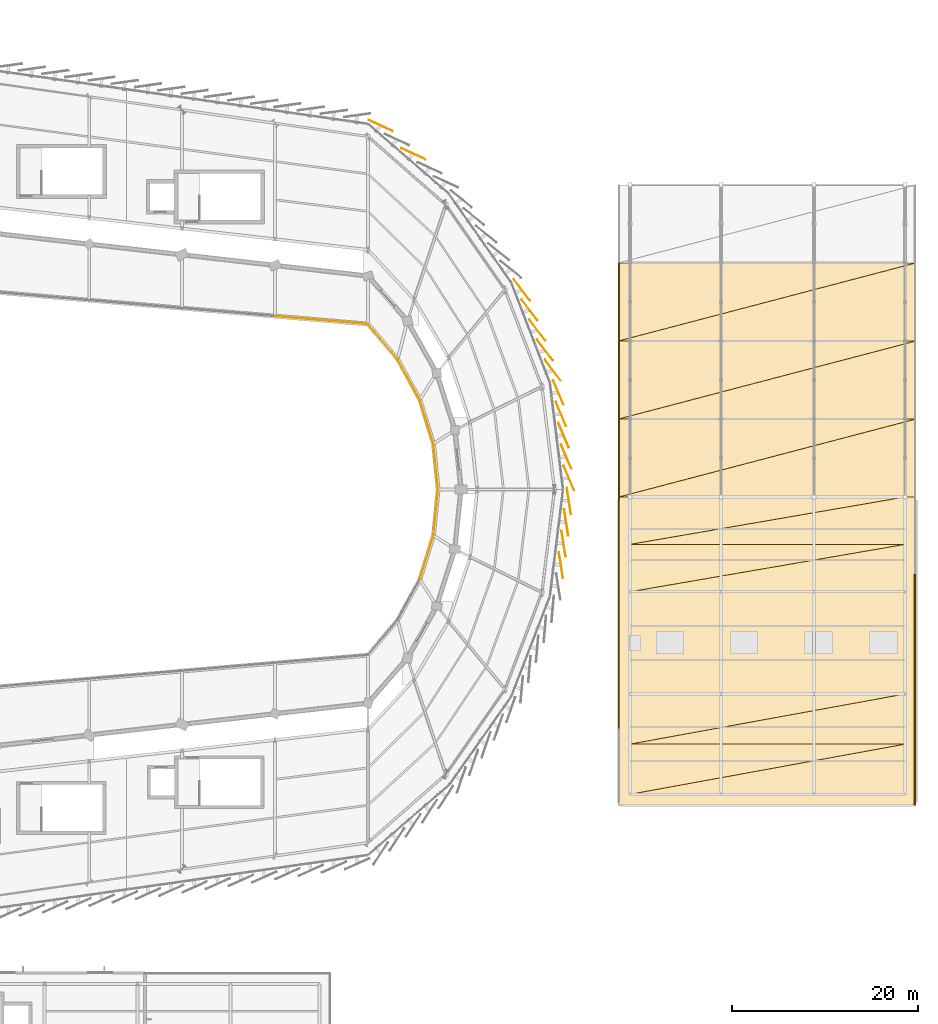
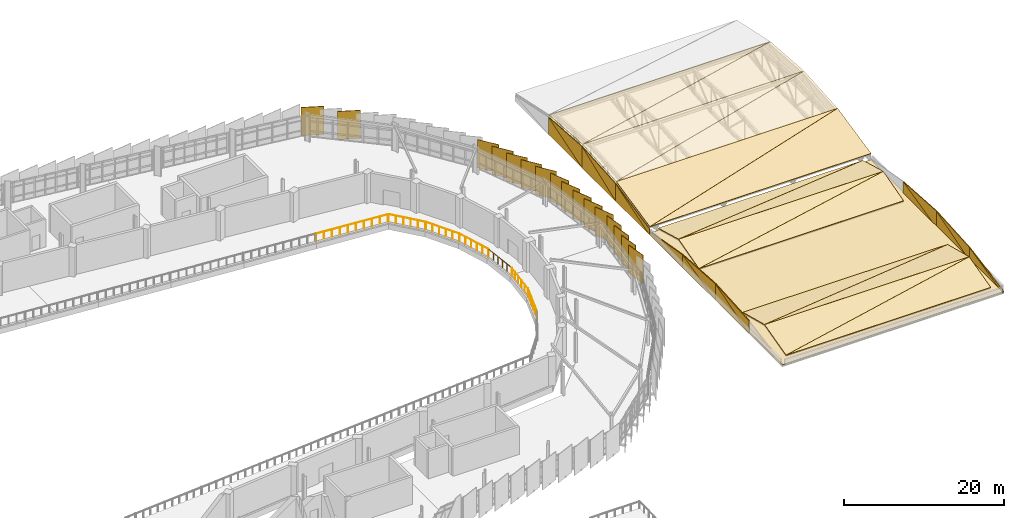
# One storey, part 86 of 87: 49 coverings, 7 railings.
"""IFC4 building model written with IfcOpenShell, lengths in metres."""

import ifcopenshell
import ifcopenshell.guid

model = None  # the IFC model being written
_history = None  # IfcOwnerHistory: only IFC2X3 demands one
_inside = {}  # id of a spatial element -> (the spatial element, [elements in it])
_under = {}  # id of a project, library or spatial element -> (it, [spatial elements below it])
_declared = {}  # id of a project -> (the project, [libraries it declares])
_typed = {}  # id of a type object -> (the type object, [elements of that type])
_made_of = {}  # id of a material, layer set ... -> (it, [elements and type objects made of it])


def new_model(schema):
    """Start an empty IFC model of exactly this schema.

    Asked for "IFC4X3", IfcOpenShell would pick the latest addendum, in which some entities
    have other attributes; the version numbers below select the first issue.
    IFC2X3 requires an IfcOwnerHistory on every rooted entity: one is made here for all.
    """
    global model, _history
    if schema == "IFC4X3":
        model = ifcopenshell.file(schema_version=(4, 3, 0, 0))
    else:
        model = ifcopenshell.file(schema=schema)
    _inside.clear()
    _under.clear()
    _declared.clear()
    _typed.clear()
    _made_of.clear()
    _history = None
    if model.schema == "IFC2X3":
        org = make("IfcOrganization", Name="unknown")
        user = make(
            "IfcPersonAndOrganization",
            ThePerson=make("IfcPerson", FamilyName="unknown"),
            TheOrganization=org,
        )
        app = make(
            "IfcApplication",
            ApplicationDeveloper=org,
            Version="unknown",
            ApplicationFullName="unknown",
            ApplicationIdentifier="unknown",
        )
        _history = make(
            "IfcOwnerHistory",
            OwningUser=user,
            OwningApplication=app,
            ChangeAction="ADDED",
            CreationDate=0,
        )
    return model


def make(cls, **values):
    """One entity of the class cls with the attributes given. An attribute that is None is left unset."""
    return model.create_entity(
        cls, **{name: value for name, value in values.items() if value is not None}
    )


def rooted(cls, **values):
    """An entity with a GlobalId (a new one), such as an element, a storey or a relation."""
    return make(cls, GlobalId=ifcopenshell.guid.new(), OwnerHistory=_history, **values)


def si_unit(unit_type, name, prefix=None):
    """IfcSIUnit, for example si_unit("LENGTHUNIT", "METRE", prefix="MILLI")."""
    return make("IfcSIUnit", UnitType=unit_type, Prefix=prefix, Name=name)


def assignment(units):
    """IfcUnitAssignment: the units of a project."""
    return None if units is None else make("IfcUnitAssignment", Units=units)


def point(xyz):
    """IfcCartesianPoint."""
    return None if xyz is None else make("IfcCartesianPoint", Coordinates=xyz)


def direction(xyz):
    """IfcDirection."""
    return None if xyz is None else make("IfcDirection", DirectionRatios=xyz)


def frame(location, z_axis=None, x_axis=None):
    """IfcAxis2Placement3D, a coordinate frame: its origin and axes. An axis left out is left unset."""
    return make(
        "IfcAxis2Placement3D",
        Location=point(location),
        Axis=direction(z_axis),
        RefDirection=direction(x_axis),
    )


def frame_2d(location, x_axis=None):
    """IfcAxis2Placement2D, a coordinate frame in the plane: its origin and x axis."""
    return make(
        "IfcAxis2Placement2D", Location=point(location), RefDirection=direction(x_axis)
    )


def origin():
    """The frame at (0, 0, 0) with its axes left unset."""
    return frame((0.0, 0.0, 0.0))


def origin_2d():
    """The frame at (0, 0) in the plane with its x axis left unset."""
    return frame_2d((0.0, 0.0))


def place(relative_to, where):
    """IfcLocalPlacement: puts the frame where relative to a parent placement (None: the world)."""
    return make(
        "IfcLocalPlacement", PlacementRelTo=relative_to, RelativePlacement=where
    )


def context(
    kind, dimensions, precision=None, world=None, true_north=None, identifier=None
):
    """IfcGeometricRepresentationContext, for example the 3D "Model" context."""
    return make(
        "IfcGeometricRepresentationContext",
        ContextIdentifier=identifier,
        ContextType=kind,
        CoordinateSpaceDimension=dimensions,
        Precision=precision,
        WorldCoordinateSystem=world,
        TrueNorth=true_north,
    )


def subcontext(parent, identifier, kind, view, scale=None):
    """IfcGeometricRepresentationSubContext, for example "Body" below "Model"."""
    return make(
        "IfcGeometricRepresentationSubContext",
        ContextIdentifier=identifier,
        ContextType=kind,
        ParentContext=parent,
        TargetScale=scale,
        TargetView=view,
    )


def project(units=None, contexts=None):
    """IfcProject with its units and contexts."""
    return rooted(
        "IfcProject",
        Name="project",
        RepresentationContexts=contexts,
        UnitsInContext=assignment(units),
    )


def spatial(cls, under=None, at=None, **own):
    """A site, building, storey or space (cls), placed at a placement, below another one or the project."""
    s = rooted(cls, ObjectPlacement=at, **own)
    if under is not None:
        _under.setdefault(under.id(), (under, []))[1].append(s)
    return s


def polyline(points):
    """IfcPolyline through the points."""
    return make("IfcPolyline", Points=[point(p) for p in points])


def profile(cls, at=None, kind="AREA", **sizes):
    """A parametric profile (cls). Its sizes go by their IFC names, for example OverallWidth=200.0."""
    return make(cls, ProfileType=kind, Position=at, **sizes)


def rectangle(**sizes):
    """IfcRectangleProfileDef."""
    return profile("IfcRectangleProfileDef", **sizes)


def circle(**sizes):
    """IfcCircleProfileDef."""
    return profile("IfcCircleProfileDef", **sizes)


def outline(outer, holes=None, kind="AREA"):
    """IfcArbitraryClosedProfileDef: a profile drawn as a closed curve; with holes, ...WithVoids."""
    if holes is None:
        return make("IfcArbitraryClosedProfileDef", ProfileType=kind, OuterCurve=outer)
    return make(
        "IfcArbitraryProfileDefWithVoids",
        ProfileType=kind,
        OuterCurve=outer,
        InnerCurves=holes,
    )


def extrude(swept, where, along, depth):
    """IfcExtrudedAreaSolid: the profile swept, set in the frame where, extruded along a direction by depth."""
    return make(
        "IfcExtrudedAreaSolid",
        SweptArea=swept,
        Position=where,
        ExtrudedDirection=direction(along),
        Depth=depth,
    )


def shape(context_of_items, identifier, shape_type, items):
    """IfcShapeRepresentation: the items that make up one representation, for example the "Body"."""
    return make(
        "IfcShapeRepresentation",
        ContextOfItems=context_of_items,
        RepresentationIdentifier=identifier,
        RepresentationType=shape_type,
        Items=items,
    )


def material(Name=None, Category=None):
    """IfcMaterial."""
    return make("IfcMaterial", Name=Name, Category=Category)


def layer(
    of_material, thickness, ventilated=None, Name=None, Category=None, Priority=None
):
    """IfcMaterialLayer: one layer of a wall or slab, of a material (None: an air gap)."""
    return make(
        "IfcMaterialLayer",
        Material=of_material,
        LayerThickness=thickness,
        IsVentilated=ventilated,
        Name=Name,
        Category=Category,
        Priority=Priority,
    )


def layer_set(layers, Name=None):
    """IfcMaterialLayerSet."""
    return make("IfcMaterialLayerSet", MaterialLayers=layers, LayerSetName=Name)


def made_of(thing, what):
    """Note that an element or type object is made of a material, layer set ...; save() writes the relation."""
    if what is not None:
        _made_of.setdefault(what.id(), (what, []))[1].append(thing)
    return thing


def type_object(cls, material=None, **own):
    """A type object (cls), such as IfcWallType, which elements share."""
    return made_of(rooted(cls, **own), material)


def element(
    cls,
    number,
    at=None,
    inside=None,
    cuts=None,
    type_object=None,
    material=None,
    context=None,
    identifier="Body",
    shape_type=None,
    held_by="IfcProductDefinitionShape",
    body=None,
    shapes=None,
    **own,
):
    """One element of the class cls, such as IfcWall. Its Tag is "e" and its number.

    at: its placement. inside: the storey or other place that contains it. cuts: it is an
    opening in that element (IfcRelVoidsElement). A single representation is given by context,
    identifier, shape_type and body (its items); several are given by shapes. held_by: the class
    of the entity that holds the representations. save() writes the other relations.
    """
    e = rooted(cls, Tag="e%d" % number, ObjectPlacement=at, **own)
    if body is not None:
        shapes = [shape(context, identifier, shape_type, body)]
    if shapes is not None:
        e.Representation = make(held_by, Representations=shapes)
    if inside is not None:
        _inside.setdefault(inside.id(), (inside, []))[1].append(e)
    if cuts is not None:
        rooted(
            "IfcRelVoidsElement", RelatingBuildingElement=cuts, RelatedOpeningElement=e
        )
    if type_object is not None:
        _typed.setdefault(type_object.id(), (type_object, []))[1].append(e)
    return made_of(e, material)


def aggregate(whole, parts):
    """IfcRelAggregates: a whole, such as a stair, and the parts it consists of."""
    return rooted("IfcRelAggregates", RelatingObject=whole, RelatedObjects=parts)


def save(model, path):
    """Write the relations noted so far, then the file.

    IfcRelAggregates (storeys below a building ...), IfcRelContainedInSpatialStructure (elements
    in a storey), IfcRelDefinesByType, IfcRelAssociatesMaterial and IfcRelDeclares: one each for
    every whole, place, type object, material and project.
    """
    for whole, parts in _under.values():
        aggregate(whole, parts)
    for where, things in _inside.values():
        rooted(
            "IfcRelContainedInSpatialStructure",
            RelatedElements=things,
            RelatingStructure=where,
        )
    for kind, things in _typed.values():
        rooted("IfcRelDefinesByType", RelatedObjects=things, RelatingType=kind)
    for what, things in _made_of.values():
        rooted("IfcRelAssociatesMaterial", RelatedObjects=things, RelatingMaterial=what)
    for by, libraries in _declared.values():
        rooted("IfcRelDeclares", RelatingContext=by, RelatedDefinitions=libraries)
    model.write(path)


model = new_model("IFC4")

# Units and contexts
model_context = context("Model", 3, precision=1e-05, world=origin(), true_north=direction((0.0, 1.0)))
body_context = subcontext(model_context, "Body", "Model", "MODEL_VIEW")
ifc_project = project(units=[si_unit("LENGTHUNIT", "METRE"), si_unit("AREAUNIT", "SQUARE_METRE"), si_unit("VOLUMEUNIT", "CUBIC_METRE"), si_unit("PLANEANGLEUNIT", "RADIAN"), si_unit("MASSUNIT", "GRAM", prefix="KILO")], contexts=[model_context])

# Site, building, storey
site_placement = place(None, origin())
site = spatial("IfcSite", under=ifc_project, at=site_placement, CompositionType="ELEMENT")
building_placement = place(site_placement, origin())
building = spatial("IfcBuilding", under=site, at=building_placement, Name="Sohan Crest Arena", CompositionType="ELEMENT")
storey_placement = place(building_placement, frame((0.0, 0.0, 18.0)))
storey = spatial("IfcBuildingStorey", under=building, at=storey_placement, Name="L04", CompositionType="ELEMENT", Elevation=18.0)

# Railings
ifc_material_1 = material(Name="Laminated glass and steel sightline guard", Category="steel")
railing_type = type_object("IfcRailingType", Name="ARC-GRD-02", PredefinedType="GUARDRAIL", material=ifc_material_1)
railing_1_placement = place(storey_placement, frame((173.5830078125, 68.3740234375, 0.0)))
element("IfcRailing", 1, at=railing_1_placement, inside=storey, type_object=railing_type, Name="Bowl gallery edge guard GRD-273", PredefinedType="GUARDRAIL", context=body_context, shape_type="SweptSolid", body=[
    extrude(circle(Radius=0.02392578125, at=origin_2d()), frame((0.0, 0.0, 1.1259765625), z_axis=(0.295710925601, 0.955277471984, 0.0), x_axis=(-0.955277471984, 0.295710925601, 0.0)), (0.0, 0.0, 1.0), 4.8759765625),
    extrude(circle(Radius=0.02099609375, at=origin_2d()), origin(), (0.0, 0.0, 1.0), 1.101806640625),
    extrude(circle(Radius=0.02099609375, at=origin_2d()), frame((0.288330078125, 0.931640625, 0.0)), (0.0, 0.0, 1.0), 1.101806640625),
    extrude(circle(Radius=0.02099609375, at=origin_2d()), frame((0.57666015625, 1.86328125, 0.0)), (0.0, 0.0, 1.0), 1.101806640625),
    extrude(circle(Radius=0.02099609375, at=origin_2d()), frame((0.865234375, 2.794677734375, 0.0)), (0.0, 0.0, 1.0), 1.101806640625),
    extrude(circle(Radius=0.02099609375, at=origin_2d()), frame((1.153564453125, 3.726318359375, 0.0)), (0.0, 0.0, 1.0), 1.101806640625),
    extrude(circle(Radius=0.02099609375, at=origin_2d()), frame((1.44189453125, 4.657958984375, 0.0)), (0.0, 0.0, 1.0), 1.101806640625),
])
railing_2_placement = place(storey_placement, frame((175.041015625, 73.110107421875, 0.0)))
element("IfcRailing", 2, at=railing_2_placement, inside=storey, type_object=railing_type, Name="Bowl gallery edge guard GRD-274", PredefinedType="GUARDRAIL", context=body_context, shape_type="SweptSolid", body=[
    extrude(circle(Radius=0.02392578125, at=origin_2d()), frame((0.0, 0.0, 1.1259765625), z_axis=(0.099925241422, 0.99499494779, 0.0), x_axis=(-0.99499494779, 0.099925241422, 0.0)), (0.0, 0.0, 1.0), 4.874267578125),
    extrude(circle(Radius=0.02099609375, at=origin_2d()), origin(), (0.0, 0.0, 1.0), 1.101806640625),
    extrude(circle(Radius=0.02099609375, at=origin_2d()), frame((0.097412109375, 0.969970703125, 0.0)), (0.0, 0.0, 1.0), 1.101806640625),
    extrude(circle(Radius=0.02099609375, at=origin_2d()), frame((0.19482421875, 1.93994140625, 0.0)), (0.0, 0.0, 1.0), 1.101806640625),
    extrude(circle(Radius=0.02099609375, at=origin_2d()), frame((0.292236328125, 2.909912109375, 0.0)), (0.0, 0.0, 1.0), 1.101806640625),
    extrude(circle(Radius=0.02099609375, at=origin_2d()), frame((0.3896484375, 3.8798828125, 0.0)), (0.0, 0.0, 1.0), 1.101806640625),
    extrude(circle(Radius=0.02099609375, at=origin_2d()), frame((0.487060546875, 4.849853515625, 0.0)), (0.0, 0.0, 1.0), 1.101806640625),
])
railing_3_placement = place(storey_placement, frame((175.528076171875, 78.0400390625, 0.0)))
element("IfcRailing", 3, at=railing_3_placement, inside=storey, type_object=railing_type, Name="Bowl gallery edge guard GRD-275", PredefinedType="GUARDRAIL", context=body_context, shape_type="SweptSolid", body=[
    extrude(circle(Radius=0.02392578125, at=origin_2d()), frame((0.0, 0.0, 1.1259765625), z_axis=(-0.099925241422, 0.99499494779, 0.0), x_axis=(-0.99499494779, -0.099925241422, 0.0)), (0.0, 0.0, 1.0), 4.874267578125),
    extrude(circle(Radius=0.02099609375, at=origin_2d()), origin(), (0.0, 0.0, 1.0), 1.101806640625),
    extrude(circle(Radius=0.02099609375, at=origin_2d()), frame((-0.097412109375, 0.969970703125, 0.0)), (0.0, 0.0, 1.0), 1.101806640625),
    extrude(circle(Radius=0.02099609375, at=origin_2d()), frame((-0.19482421875, 1.93994140625, 0.0)), (0.0, 0.0, 1.0), 1.101806640625),
    extrude(circle(Radius=0.02099609375, at=origin_2d()), frame((-0.292236328125, 2.909912109375, 0.0)), (0.0, 0.0, 1.0), 1.101806640625),
    extrude(circle(Radius=0.02099609375, at=origin_2d()), frame((-0.3896484375, 3.8798828125, 0.0)), (0.0, 0.0, 1.0), 1.101806640625),
    extrude(circle(Radius=0.02099609375, at=origin_2d()), frame((-0.487060546875, 4.849853515625, 0.0)), (0.0, 0.0, 1.0), 1.101806640625),
])
railing_4_placement = place(storey_placement, frame((175.02490234375, 82.968017578125, 0.0)))
element("IfcRailing", 4, at=railing_4_placement, inside=storey, type_object=railing_type, Name="Bowl gallery edge guard GRD-276", PredefinedType="GUARDRAIL", context=body_context, shape_type="SweptSolid", body=[
    extrude(circle(Radius=0.02392578125, at=origin_2d()), frame((0.0, 0.0, 1.1259765625), z_axis=(-0.295710925601, 0.955277471984, 0.0), x_axis=(-0.955277471984, -0.295710925601, 0.0)), (0.0, 0.0, 1.0), 4.8759765625),
    extrude(circle(Radius=0.02099609375, at=origin_2d()), origin(), (0.0, 0.0, 1.0), 1.101806640625),
    extrude(circle(Radius=0.02099609375, at=origin_2d()), frame((-0.288330078125, 0.931640625, 0.0)), (0.0, 0.0, 1.0), 1.101806640625),
    extrude(circle(Radius=0.02099609375, at=origin_2d()), frame((-0.57666015625, 1.86328125, 0.0)), (0.0, 0.0, 1.0), 1.101806640625),
    extrude(circle(Radius=0.02099609375, at=origin_2d()), frame((-0.865234375, 2.794677734375, 0.0)), (0.0, 0.0, 1.0), 1.101806640625),
    extrude(circle(Radius=0.02099609375, at=origin_2d()), frame((-1.153564453125, 3.726318359375, 0.0)), (0.0, 0.0, 1.0), 1.101806640625),
    extrude(circle(Radius=0.02099609375, at=origin_2d()), frame((-1.44189453125, 4.657958984375, 0.0)), (0.0, 0.0, 1.0), 1.101806640625),
])
railing_5_placement = place(storey_placement, frame((173.552001953125, 87.698974609375, 0.0)))
element("IfcRailing", 5, at=railing_5_placement, inside=storey, type_object=railing_type, Name="Bowl gallery edge guard GRD-277", PredefinedType="GUARDRAIL", context=body_context, shape_type="SweptSolid", body=[
    extrude(circle(Radius=0.02392578125, at=origin_2d()), frame((0.0, 0.0, 1.1259765625), z_axis=(-0.47973946728, 0.877410988952, 0.0), x_axis=(-0.877410988952, -0.47973946728, 0.0)), (0.0, 0.0, 1.0), 4.875732421875),
    extrude(circle(Radius=0.02099609375, at=origin_2d()), origin(), (0.0, 0.0, 1.0), 1.101806640625),
    extrude(circle(Radius=0.02099609375, at=origin_2d()), frame((-0.4677734375, 0.855712890625, 0.0)), (0.0, 0.0, 1.0), 1.101806640625),
    extrude(circle(Radius=0.02099609375, at=origin_2d()), frame((-0.935546875, 1.711181640625, 0.0)), (0.0, 0.0, 1.0), 1.101806640625),
    extrude(circle(Radius=0.02099609375, at=origin_2d()), frame((-1.403564453125, 2.56689453125, 0.0)), (0.0, 0.0, 1.0), 1.101806640625),
    extrude(circle(Radius=0.02099609375, at=origin_2d()), frame((-1.871337890625, 3.42236328125, 0.0)), (0.0, 0.0, 1.0), 1.101806640625),
    extrude(circle(Radius=0.02099609375, at=origin_2d()), frame((-2.339111328125, 4.278076171875, 0.0)), (0.0, 0.0, 1.0), 1.101806640625),
])
railing_6_placement = place(storey_placement, frame((171.16796875, 92.04296875, 0.0)))
element("IfcRailing", 6, at=railing_6_placement, inside=storey, type_object=railing_type, Name="Bowl gallery edge guard GRD-278", PredefinedType="GUARDRAIL", context=body_context, shape_type="SweptSolid", body=[
    extrude(circle(Radius=0.02392578125, at=origin_2d()), frame((0.0, 0.0, 1.1259765625), z_axis=(-0.644656953224, 0.764471982914, 0.0), x_axis=(-0.764471982914, -0.644656953224, 0.0)), (0.0, 0.0, 1.0), 4.8740234375),
    extrude(circle(Radius=0.02099609375, at=origin_2d()), origin(), (0.0, 0.0, 1.0), 1.101806640625),
    extrude(circle(Radius=0.02099609375, at=origin_2d()), frame((-0.62841796875, 0.7451171875, 0.0)), (0.0, 0.0, 1.0), 1.101806640625),
    extrude(circle(Radius=0.02099609375, at=origin_2d()), frame((-1.2568359375, 1.490478515625, 0.0)), (0.0, 0.0, 1.0), 1.101806640625),
    extrude(circle(Radius=0.02099609375, at=origin_2d()), frame((-1.88525390625, 2.235595703125, 0.0)), (0.0, 0.0, 1.0), 1.101806640625),
    extrude(circle(Radius=0.02099609375, at=origin_2d()), frame((-2.513671875, 2.98095703125, 0.0)), (0.0, 0.0, 1.0), 1.101806640625),
    extrude(circle(Radius=0.02099609375, at=origin_2d()), frame((-3.14208984375, 3.72607421875, 0.0)), (0.0, 0.0, 1.0), 1.101806640625),
])
railing_7_placement = place(storey_placement, frame((167.9599609375, 95.802978515625, 0.0)))
element("IfcRailing", 7, at=railing_7_placement, inside=storey, type_object=railing_type, Name="Bowl gallery edge guard GRD-279", PredefinedType="GUARDRAIL", context=body_context, shape_type="SweptSolid", body=[
    extrude(circle(Radius=0.02392578125, at=origin_2d()), frame((0.0, 0.0, 1.1259765625), z_axis=(-0.996339849936, 0.085480427173, 0.0), x_axis=(-0.085480427173, -0.996339849936, 0.0)), (0.0, 0.0, 1.0), 9.956298828125),
    extrude(circle(Radius=0.02099609375, at=origin_2d()), origin(), (0.0, 0.0, 1.0), 1.101806640625),
    extrude(circle(Radius=0.02099609375, at=origin_2d()), frame((-1.102294921875, 0.094482421875, 0.0)), (0.0, 0.0, 1.0), 1.101806640625),
    extrude(circle(Radius=0.02099609375, at=origin_2d()), frame((-2.204345703125, 0.189208984375, 0.0)), (0.0, 0.0, 1.0), 1.101806640625),
    extrude(circle(Radius=0.02099609375, at=origin_2d()), frame((-3.306640625, 0.28369140625, 0.0)), (0.0, 0.0, 1.0), 1.101806640625),
    extrude(circle(Radius=0.02099609375, at=origin_2d()), frame((-4.408935546875, 0.378173828125, 0.0)), (0.0, 0.0, 1.0), 1.101806640625),
    extrude(circle(Radius=0.02099609375, at=origin_2d()), frame((-5.510986328125, 0.472900390625, 0.0)), (0.0, 0.0, 1.0), 1.101806640625),
    extrude(circle(Radius=0.02099609375, at=origin_2d()), frame((-6.61328125, 0.5673828125, 0.0)), (0.0, 0.0, 1.0), 1.101806640625),
    extrude(circle(Radius=0.02099609375, at=origin_2d()), frame((-7.715576171875, 0.661865234375, 0.0)), (0.0, 0.0, 1.0), 1.101806640625),
    extrude(circle(Radius=0.02099609375, at=origin_2d()), frame((-8.817626953125, 0.756591796875, 0.0)), (0.0, 0.0, 1.0), 1.101806640625),
    extrude(circle(Radius=0.02099609375, at=origin_2d()), frame((-9.919921875, 0.85107421875, 0.0)), (0.0, 0.0, 1.0), 1.101806640625),
])

# Coverings
ifc_material_2 = material(Name="Elastomeric EPDM waterproofing membrane")
ifc_layer_1 = layer(ifc_material_2, 0.094970703125, Name="Elastomeric EPDM waterproofing membrane")
ifc_layer_set_1 = layer_set([ifc_layer_1], Name="Elastomeric EPDM waterproofing membrane")
covering_type_1 = type_object("IfcCoveringType", Name="COV-RF1", PredefinedType="ROOFING", material=ifc_layer_set_1)
covering_1_placement = place(storey_placement, origin())
element("IfcCovering", 8, at=covering_1_placement, inside=storey, type_object=covering_type_1, Name="Community wing EPDM roof membrane", PredefinedType="ROOFING", context=body_context, shape_type="SweptSolid", body=[
    extrude(outline(polyline([(195.0, 44.0), (227.0, 44.0), (227.0, 77.199951171875), (195.0, 77.199951171875), (195.0, 44.0)])), origin(), (0.0, 0.0, 1.0), 0.094970703125),
])
ifc_material_3 = material(Name="Standing-seam insulated acoustic roof liner", Category="aluminium")
ifc_layer_2 = layer(ifc_material_3, 0.114990234375, Name="Standing-seam insulated acoustic roof liner")
ifc_layer_set_2 = layer_set([ifc_layer_2], Name="Standing-seam insulated acoustic roof liner")
covering_type_2 = type_object("IfcCoveringType", Name="COV-RF2", PredefinedType="ROOFING", material=ifc_layer_set_2)
covering_2_placement = place(storey_placement, frame((195.04296875, 77.2060546875, 1.041015625), z_axis=(0.0, -0.209939374799, 0.977714405596), x_axis=(1.0, 0.0, 0.0)))
element("IfcCovering", 9, at=covering_2_placement, inside=storey, type_object=covering_type_2, Name="Standing-seam acoustic roof covering RF-CV-117", PredefinedType="ROOFING", context=body_context, shape_type="SweptSolid", body=[
    extrude(outline(polyline([(0.0, 0.0), (31.93603515625, 0.0), (31.93603515625, 8.5741363660465), (0.0, 0.0)])), origin(), (0.0, 0.0, -1.0), 0.114990234375),
])
covering_3_placement = place(storey_placement, frame((195.02099609375, 77.2109375, 1.041015625), z_axis=(0.0, -0.209939374799, 0.977714405596), x_axis=(0.96579792604, 0.253517341078, 0.054436420065)))
element("IfcCovering", 10, at=covering_3_placement, inside=storey, type_object=covering_type_2, Name="Standing-seam acoustic roof covering RF-CV-118", PredefinedType="ROOFING", context=body_context, shape_type="SweptSolid", body=[
    extrude(outline(polyline([(0.0, 0.0), (33.06699496363099, 1.3322676295501878e-15), (2.223238443784145, 8.280883119911872), (0.0, 0.0)])), origin(), (0.0, 0.0, -1.0), 0.114990234375),
])
covering_4_placement = place(storey_placement, frame((195.04296875, 85.60595703125, 2.841064453125), z_axis=(0.0, -0.071372976838, 0.997449697066), x_axis=(1.0, 0.0, 0.0)))
element("IfcCovering", 11, at=covering_4_placement, inside=storey, type_object=covering_type_2, Name="Standing-seam acoustic roof covering RF-CV-119", PredefinedType="ROOFING", context=body_context, shape_type="SweptSolid", body=[
    extrude(outline(polyline([(0.0, 0.0), (31.93603515625, 0.0), (31.93603515625, 8.404490637756377), (0.0, 0.0)])), origin(), (0.0, 0.0, -1.0), 0.114990234375),
])
covering_5_placement = place(storey_placement, frame((195.02099609375, 85.611083984375, 2.841064453125), z_axis=(0.0, -0.071375044912, 0.997449549082), x_axis=(0.967074333491, 0.253844998966, 0.018164525934)))
element("IfcCovering", 12, at=covering_5_placement, inside=storey, type_object=covering_type_2, Name="Standing-seam acoustic roof covering RF-CV-120", PredefinedType="ROOFING", context=body_context, shape_type="SweptSolid", body=[
    extrude(outline(polyline([(0.0, 0.0), (33.02335099821943, -2.2898349882893854e-16), (2.1388310851364625, 8.127531681858763), (0.0, 0.0)])), origin(), (0.0, 0.0, -1.0), 0.114990234375),
])
covering_6_placement = place(storey_placement, frame((195.04296875, 94.006103515625, 3.44091796875), z_axis=(0.0, 0.071375044912, 0.997449549082), x_axis=(1.0, 0.0, 0.0)))
element("IfcCovering", 13, at=covering_6_placement, inside=storey, type_object=covering_type_2, Name="Standing-seam acoustic roof covering RF-CV-121", PredefinedType="ROOFING", context=body_context, shape_type="SweptSolid", body=[
    extrude(outline(polyline([(0.0, 0.0), (31.93603515625, 0.0), (31.93603515625, 8.404247119781994), (0.0, 0.0)])), origin(), (0.0, 0.0, -1.0), 0.114990234375),
])
covering_7_placement = place(storey_placement, frame((195.02099609375, 94.010986328125, 3.44091796875), z_axis=(0.0, 0.071372976838, 0.997449697066), x_axis=(0.967072518592, 0.253851915533, -0.018164491845)))
element("IfcCovering", 14, at=covering_7_placement, inside=storey, type_object=covering_type_2, Name="Standing-seam acoustic roof covering RF-CV-122", PredefinedType="ROOFING", context=body_context, shape_type="SweptSolid", body=[
    extrude(outline(polyline([(0.0, 0.0), (33.023412972940434, 1.6653345369377348e-16), (2.138951020538479, 8.127751928539157), (0.0, 0.0)])), origin(), (0.0, 0.0, -1.0), 0.114990234375),
])
covering_8_placement = place(storey_placement, frame((196.239013671875, 45.2041015625, 0.410888671875), z_axis=(0.0, -0.251470381991, 0.967864994191), x_axis=(1.0, 0.0, 0.0)))
element("IfcCovering", 15, at=covering_8_placement, inside=storey, type_object=covering_type_2, Name="Standing-seam acoustic roof covering RF-CV-137", PredefinedType="ROOFING", context=body_context, shape_type="SweptSolid", body=[
    extrude(outline(polyline([(0.0, 0.0), (29.541015625, 0.0), (29.541015625, 5.567838539430476), (0.0, 0.0)])), origin(), (0.0, 0.0, -1.0), 0.114990234375),
])
covering_9_placement = place(storey_placement, frame((196.219970703125, 45.20703125, 0.410888671875), z_axis=(0.0, -0.251470381991, 0.967864994191), x_axis=(0.982697623953, 0.179265162426, 0.046576618788)))
element("IfcCovering", 16, at=covering_9_placement, inside=storey, type_object=covering_type_2, Name="Standing-seam acoustic roof covering RF-CV-138", PredefinedType="ROOFING", context=body_context, shape_type="SweptSolid", body=[
    extrude(outline(polyline([(0.0, 0.0), (30.0611448577339, -1.4432899320127035e-15), (1.0312589938899697, 5.4715017032518904), (0.0, 0.0)])), origin(), (0.0, 0.0, -1.0), 0.114990234375),
])
covering_10_placement = place(storey_placement, frame((196.239013671875, 50.60400390625, 1.81103515625), z_axis=(0.0, 0.251470381991, 0.967864994191), x_axis=(1.0, 0.0, 0.0)))
element("IfcCovering", 17, at=covering_10_placement, inside=storey, type_object=covering_type_2, Name="Standing-seam acoustic roof covering RF-CV-139", PredefinedType="ROOFING", context=body_context, shape_type="SweptSolid", body=[
    extrude(outline(polyline([(0.0, 0.0), (29.541015625, 0.0), (29.541015625, 5.567838539430476), (0.0, 0.0)])), origin(), (0.0, 0.0, -1.0), 0.114990234375),
])
covering_11_placement = place(storey_placement, frame((196.219970703125, 50.60693359375, 1.81103515625), z_axis=(0.0, 0.251459710202, 0.96786776687), x_axis=(0.982696193218, 0.179273022885, -0.046576550976)))
element("IfcCovering", 18, at=covering_11_placement, inside=storey, type_object=covering_type_2, Name="Standing-seam acoustic roof covering RF-CV-140", PredefinedType="ROOFING", context=body_context, shape_type="SweptSolid", body=[
    extrude(outline(polyline([(0.0, 0.0), (30.061188624602227, 1.6653345369377348e-16), (1.03134502612604, 5.4717259438412365), (0.0, 0.0)])), origin(), (0.0, 0.0, -1.0), 0.114990234375),
])
covering_12_placement = place(storey_placement, frame((196.239013671875, 67.0029296875, 0.410888671875), z_axis=(0.0, -0.265222049385, 0.964187359656), x_axis=(1.0, 0.0, 0.0)))
element("IfcCovering", 19, at=covering_12_placement, inside=storey, type_object=covering_type_2, Name="Standing-seam acoustic roof covering RF-CV-141", PredefinedType="ROOFING", context=body_context, shape_type="SweptSolid", body=[
    extrude(outline(polyline([(0.0, 0.0), (29.541015625, 0.0), (29.541015625, 5.279148123702813), (0.0, 0.0)])), origin(), (0.0, 0.0, -1.0), 0.114990234375),
])
covering_13_placement = place(storey_placement, frame((196.219970703125, 67.007080078125, 0.410888671875), z_axis=(0.0, -0.265233876148, 0.964184106353), x_axis=(0.98440605042, 0.169610721811, 0.046657592555)))
element("IfcCovering", 20, at=covering_13_placement, inside=storey, type_object=covering_type_2, Name="Standing-seam acoustic roof covering RF-CV-142", PredefinedType="ROOFING", context=body_context, shape_type="SweptSolid", body=[
    extrude(outline(polyline([(0.0, 0.0), (30.008974053333045, 1.1102230246251565e-16), (0.9286195365291605, 5.196593627896846), (0.0, 0.0)])), origin(), (0.0, 0.0, -1.0), 0.114990234375),
])
covering_14_placement = place(storey_placement, frame((196.239013671875, 72.10302734375, 1.81103515625), z_axis=(0.0, 0.265222049385, 0.964187359656), x_axis=(1.0, 0.0, 0.0)))
element("IfcCovering", 21, at=covering_14_placement, inside=storey, type_object=covering_type_2, Name="Standing-seam acoustic roof covering RF-CV-143", PredefinedType="ROOFING", context=body_context, shape_type="SweptSolid", body=[
    extrude(outline(polyline([(0.0, 0.0), (29.541015625, 0.0), (29.541015625, 5.279148123702813), (0.0, 0.0)])), origin(), (0.0, 0.0, -1.0), 0.114990234375),
])
covering_15_placement = place(storey_placement, frame((196.219970703125, 72.10693359375, 1.81103515625), z_axis=(0.0, 0.265222049385, 0.964187359656), x_axis=(0.984404692025, 0.169618623339, -0.046657528172)))
element("IfcCovering", 22, at=covering_15_placement, inside=storey, type_object=covering_type_2, Name="Standing-seam acoustic roof covering RF-CV-144", PredefinedType="ROOFING", context=body_context, shape_type="SweptSolid", body=[
    extrude(outline(polyline([(0.0, 0.0), (30.009015463165216, 4.996003610813204e-16), (0.9287010747221427, 5.196818182869675), (0.0, 0.0)])), origin(), (0.0, 0.0, -1.0), 0.114990234375),
])
ifc_material_4 = material(Name="Glazed ivory trencadis ceramic cladding", Category="masonry")
ifc_layer_3 = layer(ifc_material_4, 0.06494140625, Name="Glazed ivory trencadis ceramic cladding")
ifc_layer_set_3 = layer_set([ifc_layer_3], Name="Glazed ivory trencadis ceramic cladding")
covering_type_3 = type_object("IfcCoveringType", Name="COV-SC-IV", PredefinedType="CLADDING", material=ifc_layer_set_3)
for number, where, z_axis, x_axis, name in (
    (23, (188.77587890625, 69.860107421875, -0.2001953125), (0.0, 0.0, 1.0), (-0.15643446504, 0.987688340595, 0.0), "Rotated trencadis ceramic scale panel SC-0503"),
    (24, (189.06005859375, 72.158935546875, -0.2001953125), (0.0, 0.0, 1.0), (-0.15643446504, 0.987688340595, 0.0), "Rotated trencadis ceramic scale panel SC-0504"),
    (25, (189.626953125, 76.757080078125, -0.2001953125), (0.0, 0.0, 1.0), (-0.15643446504, 0.987688340595, 0.0), "Rotated trencadis ceramic scale panel SC-0506"),
    (26, (189.626953125, 79.242919921875, -0.2001953125), (0.0, 0.0, 1.0), (-0.390731128489, 0.920504853452, 0.0), "Rotated trencadis ceramic scale panel SC-0507"),
    (27, (189.343017578125, 81.5419921875, -0.2001953125), (0.0, 0.0, 1.0), (-0.390731128489, 0.920504853452, 0.0), "Rotated trencadis ceramic scale panel SC-0508"),
    (28, (188.77587890625, 86.139892578125, -0.2001953125), (0.0, 0.0, 1.0), (-0.390731128489, 0.920504853452, 0.0), "Rotated trencadis ceramic scale panel SC-0510"),
    (29, (188.492919921875, 88.43896484375, -0.2001953125), (0.0, 0.0, 1.0), (-0.390731128489, 0.920504853452, 0.0), "Rotated trencadis ceramic scale panel SC-0511"),
    (30, (187.889892578125, 90.85009765625, -0.2001953125), (0.0, 0.0, 1.0), (-0.603207987745, 0.797583928825, 0.0), "Rotated trencadis ceramic scale panel SC-0512"),
    (31, (186.222900390625, 95.174072265625, -0.2001953125), (0.0, 0.0, 1.0), (-0.603207987745, 0.797583928825, 0.0), "Rotated trencadis ceramic scale panel SC-0514"),
    (32, (185.389892578125, 97.3359375, -0.2001953125), (0.0, 0.0, 1.0), (-0.603207987745, 0.797583928825, 0.0), "Rotated trencadis ceramic scale panel SC-0515"),
    (33, (184.556884765625, 99.4970703125, -0.2001953125), (0.0, 0.0, 1.0), (-0.603207987745, 0.797583928825, 0.0), "Rotated trencadis ceramic scale panel SC-0516"),
    (34, (172.8798828125, 114.138916015625, -0.2001953125), (0.0, 0.0, 1.0), (-0.907777478533, 0.419452082446, 0.0), "Rotated trencadis ceramic scale panel SC-0524"),
):
    element("IfcCovering", number, at=place(storey_placement, frame(where, z_axis=z_axis, x_axis=x_axis)), inside=storey, type_object=covering_type_3, Name=name, PredefinedType="CLADDING", context=body_context, shape_type="SweptSolid", body=[
        extrude(rectangle(XDim=2.85009765625, YDim=0.06494140625, at=origin_2d()), origin(), (0.0, 0.0, 1.0), 4.300048828125),
    ])
ifc_material_5 = material(Name="Glazed terracotta trencadis ceramic cladding", Category="masonry")
ifc_layer_4 = layer(ifc_material_5, 0.074951171875, Name="Glazed terracotta trencadis ceramic cladding")
ifc_layer_set_4 = layer_set([ifc_layer_4], Name="Glazed terracotta trencadis ceramic cladding")
covering_type_4 = type_object("IfcCoveringType", Name="COV-SC-TC", PredefinedType="CLADDING", material=ifc_layer_set_4)
for number, where, z_axis, x_axis, name in (
    (35, (189.343017578125, 74.4580078125, -0.2001953125), (0.0, 0.0, 1.0), (-0.15643446504, 0.987688340595, 0.0), "Rotated trencadis ceramic scale panel SC-0505"),
    (36, (189.06005859375, 83.841064453125, -0.2001953125), (0.0, 0.0, 1.0), (-0.390731128489, 0.920504853452, 0.0), "Rotated trencadis ceramic scale panel SC-0509"),
    (37, (187.055908203125, 93.011962890625, -0.2001953125), (0.0, 0.0, 1.0), (-0.603207987745, 0.797583928825, 0.0), "Rotated trencadis ceramic scale panel SC-0513"),
    (38, (169.373046875, 117.16796875, -0.2001953125), (0.0, 0.0, 1.0), (-0.907777478533, 0.419452082446, 0.0), "Rotated trencadis ceramic scale panel SC-0526"),
):
    element("IfcCovering", number, at=place(storey_placement, frame(where, z_axis=z_axis, x_axis=x_axis)), inside=storey, type_object=covering_type_4, Name=name, PredefinedType="CLADDING", context=body_context, shape_type="SweptSolid", body=[
        extrude(rectangle(XDim=2.85009765625, YDim=0.074951171875, at=origin_2d()), origin(), (0.0, 0.0, 1.0), 4.300048828125),
    ])
covering_16_placement = place(storey_placement, frame((195.06005859375, 77.199951171875, -0.14990234375), z_axis=(1.0, 0.0, 0.0), x_axis=(0.0, 1.0, 0.0)))
element("IfcCovering", 39, at=covering_16_placement, inside=storey, type_object=covering_type_4, Name="Practice court barrel-vault gable tympanum TYM-01", PredefinedType="CLADDING", context=body_context, shape_type="SweptSolid", body=[
    extrude(outline(polyline([(0.0, 0.0), (8.400146484375, 0.0), (8.400146484375, 2.64990234375), (0.0, 0.0)])), origin(), (0.0, 0.0, -1.0), 0.1201171875),
])
covering_17_placement = place(storey_placement, frame((195.06005859375, 77.199951171875, -0.14990234375), z_axis=(1.0, 0.0, 0.0), x_axis=(0.0, 0.953673105134, 0.300844824691)))
element("IfcCovering", 40, at=covering_17_placement, inside=storey, type_object=covering_type_4, Name="Practice court barrel-vault gable tympanum TYM-02", PredefinedType="CLADDING", context=body_context, shape_type="SweptSolid", body=[
    extrude(outline(polyline([(0.0, 0.0), (8.808203187391252, 4.440892098500626e-16), (0.2707309628441385, 0.8582126624818752), (0.0, 0.0)])), origin(), (0.0, 0.0, -1.0), 0.1201171875),
])
covering_18_placement = place(storey_placement, frame((195.06005859375, 85.60009765625, -0.14990234375), z_axis=(1.0, 0.0, 0.0), x_axis=(0.0, 1.0, 0.0)))
element("IfcCovering", 41, at=covering_18_placement, inside=storey, type_object=covering_type_4, Name="Practice court barrel-vault gable tympanum TYM-03", PredefinedType="CLADDING", context=body_context, shape_type="SweptSolid", body=[
    extrude(outline(polyline([(0.0, 0.0), (8.39990234375, 0.0), (8.39990234375, 3.25), (0.0, 0.0)])), origin(), (0.0, 0.0, -1.0), 0.1201171875),
])
covering_19_placement = place(storey_placement, frame((195.06005859375, 85.60009765625, -0.14990234375), z_axis=(1.0, 0.0, 0.0), x_axis=(0.0, 0.932626959764, 0.36084200687)))
element("IfcCovering", 42, at=covering_19_placement, inside=storey, type_object=covering_type_4, Name="Practice court barrel-vault gable tympanum TYM-04", PredefinedType="CLADDING", context=body_context, shape_type="SweptSolid", body=[
    extrude(outline(polyline([(0.0, 0.0), (9.00671190749081, 0.0), (0.9561960797285874, 2.471370366522069), (0.0, 0.0)])), origin(), (0.0, 0.0, -1.0), 0.1201171875),
])
covering_20_placement = place(storey_placement, frame((195.06005859375, 94.0, -0.14990234375), z_axis=(1.0, 0.0, 0.0), x_axis=(0.0, 1.0, 0.0)))
element("IfcCovering", 43, at=covering_20_placement, inside=storey, type_object=covering_type_4, Name="Practice court barrel-vault gable tympanum TYM-05", PredefinedType="CLADDING", context=body_context, shape_type="SweptSolid", body=[
    extrude(outline(polyline([(0.0, 0.0), (8.39990234375, 0.0), (8.39990234375, 2.64990234375), (0.0, 0.0)])), origin(), (0.0, 0.0, -1.0), 0.1201171875),
])
covering_21_placement = place(storey_placement, frame((195.06005859375, 94.0, -0.14990234375), z_axis=(1.0, 0.0, 0.0), x_axis=(0.0, 0.953670596398, 0.300852777228)))
element("IfcCovering", 44, at=covering_21_placement, inside=storey, type_object=covering_type_4, Name="Practice court barrel-vault gable tympanum TYM-06", PredefinedType="CLADDING", context=body_context, shape_type="SweptSolid", body=[
    extrude(outline(polyline([(0.0, 0.0), (8.807970357349557, 0.0), (0.9777715259908104, 3.0994294382937), (0.0, 0.0)])), origin(), (0.0, 0.0, -1.0), 0.1201171875),
])
covering_22_placement = place(storey_placement, frame((195.06005859375, 52.300048828125, -0.14990234375), z_axis=(1.0, 0.0, 0.0), x_axis=(0.0, 1.0, 0.0)))
element("IfcCovering", 45, at=covering_22_placement, inside=storey, type_object=covering_type_4, Name="Community wing barrel-vault gable tympanum TYM-19", PredefinedType="CLADDING", context=body_context, shape_type="SweptSolid", body=[
    extrude(outline(polyline([(0.0, 0.0), (8.300048828125, 0.0), (8.300048828125, 2.5), (0.0, 0.0)])), origin(), (0.0, 0.0, -1.0), 0.1201171875),
])
covering_23_placement = place(storey_placement, frame((195.06005859375, 52.300048828125, -0.14990234375), z_axis=(1.0, 0.0, 0.0), x_axis=(0.0, 0.957508657737, 0.288404525553)))
element("IfcCovering", 46, at=covering_23_placement, inside=storey, type_object=covering_type_4, Name="Community wing barrel-vault gable tympanum TYM-20", PredefinedType="CLADDING", context=body_context, shape_type="SweptSolid", body=[
    extrude(outline(polyline([(0.0, 0.0), (8.668379926448726, 0.0), (0.5623747425759923, 1.8670951292339855), (0.0, 0.0)])), origin(), (0.0, 0.0, -1.0), 0.1201171875),
])
covering_24_placement = place(storey_placement, frame((195.06005859375, 60.60009765625, -0.14990234375), z_axis=(1.0, 0.0, 0.0), x_axis=(0.0, 1.0, 0.0)))
element("IfcCovering", 47, at=covering_24_placement, inside=storey, type_object=covering_type_4, Name="Community wing barrel-vault gable tympanum TYM-21", PredefinedType="CLADDING", context=body_context, shape_type="SweptSolid", body=[
    extrude(outline(polyline([(0.0, 0.0), (8.2998046875, 0.0), (8.2998046875, 1.949951171875), (0.0, 0.0)])), origin(), (0.0, 0.0, -1.0), 0.1201171875),
])
covering_25_placement = place(storey_placement, frame((195.06005859375, 60.60009765625, -0.14990234375), z_axis=(1.0, 0.0, 0.0), x_axis=(0.0, 0.973494100719, 0.228712124439)))
element("IfcCovering", 48, at=covering_25_placement, inside=storey, type_object=covering_type_4, Name="Community wing barrel-vault gable tympanum TYM-22", PredefinedType="CLADDING", context=body_context, shape_type="SweptSolid", body=[
    extrude(outline(polyline([(0.0, 0.0), (8.525788375472597, 0.0), (0.5717803110984769, 2.4337352517971484), (0.0, 0.0)])), origin(), (0.0, 0.0, -1.0), 0.1201171875),
])
covering_26_placement = place(storey_placement, frame((195.06005859375, 68.89990234375, -0.14990234375), z_axis=(1.0, 0.0, 0.0), x_axis=(0.0, 1.0, 0.0)))
element("IfcCovering", 49, at=covering_26_placement, inside=storey, type_object=covering_type_4, Name="Community wing barrel-vault gable tympanum TYM-23", PredefinedType="CLADDING", context=body_context, shape_type="SweptSolid", body=[
    extrude(outline(polyline([(0.0, 0.0), (8.300048828125, 0.0), (8.300048828125, 0.5), (0.0, 0.0)])), origin(), (0.0, 0.0, -1.0), 0.1201171875),
])
covering_27_placement = place(storey_placement, frame((195.06005859375, 68.89990234375, -0.14990234375), z_axis=(1.0, 0.0, 0.0), x_axis=(0.0, 0.998190458026, 0.060131601554)))
element("IfcCovering", 50, at=covering_27_placement, inside=storey, type_object=covering_type_4, Name="Community wing barrel-vault gable tympanum TYM-24", PredefinedType="CLADDING", context=body_context, shape_type="SweptSolid", body=[
    extrude(outline(polyline([(0.0, 0.0), (8.315095342162902, 5.551115123125783e-17), (0.1172536869173038, 1.9464226533826061), (0.0, 0.0)])), origin(), (0.0, 0.0, -1.0), 0.1201171875),
])
covering_28_placement = place(storey_placement, frame((226.93994140625, 44.0, -0.14990234375), z_axis=(1.0, 0.0, 0.0), x_axis=(0.0, 1.0, 0.0)))
element("IfcCovering", 51, at=covering_28_placement, inside=storey, type_object=covering_type_4, Name="Community wing barrel-vault gable tympanum TYM-25", PredefinedType="CLADDING", context=body_context, shape_type="SweptSolid", body=[
    extrude(outline(polyline([(0.0, 0.0), (8.300048828125, 0.0), (8.300048828125, 1.949951171875), (0.0, 0.0)])), origin(), (0.0, 0.0, -1.0), 0.1201171875),
])
covering_29_placement = place(storey_placement, frame((226.93994140625, 44.0, -0.14990234375), z_axis=(1.0, 0.0, 0.0), x_axis=(0.0, 0.97349559856, 0.22870574891)))
element("IfcCovering", 52, at=covering_29_placement, inside=storey, type_object=covering_type_4, Name="Community wing barrel-vault gable tympanum TYM-26", PredefinedType="CLADDING", context=body_context, shape_type="SweptSolid", body=[
    extrude(outline(polyline([(0.0, 0.0), (8.526026045113625, 2.220446049250313e-16), (0.11435287445506585, 0.48674779927993916), (0.0, 0.0)])), origin(), (0.0, 0.0, -1.0), 0.1201171875),
])
covering_30_placement = place(storey_placement, frame((226.93994140625, 52.300048828125, -0.14990234375), z_axis=(1.0, 0.0, 0.0), x_axis=(0.0, 1.0, 0.0)))
element("IfcCovering", 53, at=covering_30_placement, inside=storey, type_object=covering_type_4, Name="Community wing barrel-vault gable tympanum TYM-27", PredefinedType="CLADDING", context=body_context, shape_type="SweptSolid", body=[
    extrude(outline(polyline([(0.0, 0.0), (8.300048828125, 0.0), (8.300048828125, 2.5), (0.0, 0.0)])), origin(), (0.0, 0.0, -1.0), 0.1201171875),
])
covering_31_placement = place(storey_placement, frame((226.93994140625, 52.300048828125, -0.14990234375), z_axis=(1.0, 0.0, 0.0), x_axis=(0.0, 0.957508657737, 0.288404525553)))
element("IfcCovering", 54, at=covering_31_placement, inside=storey, type_object=covering_type_4, Name="Community wing barrel-vault gable tympanum TYM-28", PredefinedType="CLADDING", context=body_context, shape_type="SweptSolid", body=[
    extrude(outline(polyline([(0.0, 0.0), (8.668379926448726, 0.0), (0.5623747425759923, 1.8670951292339855), (0.0, 0.0)])), origin(), (0.0, 0.0, -1.0), 0.1201171875),
])
covering_32_placement = place(storey_placement, frame((226.93994140625, 60.60009765625, -0.14990234375), z_axis=(1.0, 0.0, 0.0), x_axis=(0.0, 1.0, 0.0)))
element("IfcCovering", 55, at=covering_32_placement, inside=storey, type_object=covering_type_4, Name="Community wing barrel-vault gable tympanum TYM-29", PredefinedType="CLADDING", context=body_context, shape_type="SweptSolid", body=[
    extrude(outline(polyline([(0.0, 0.0), (8.2998046875, 0.0), (8.2998046875, 1.949951171875), (0.0, 0.0)])), origin(), (0.0, 0.0, -1.0), 0.1201171875),
])
covering_33_placement = place(storey_placement, frame((226.93994140625, 60.60009765625, -0.14990234375), z_axis=(1.0, 0.0, 0.0), x_axis=(0.0, 0.973494100719, 0.228712124439)))
element("IfcCovering", 56, at=covering_33_placement, inside=storey, type_object=covering_type_4, Name="Community wing barrel-vault gable tympanum TYM-30", PredefinedType="CLADDING", context=body_context, shape_type="SweptSolid", body=[
    extrude(outline(polyline([(0.0, 0.0), (8.525788375472597, 0.0), (0.5717803110984769, 2.4337352517971484), (0.0, 0.0)])), origin(), (0.0, 0.0, -1.0), 0.1201171875),
])

save(model, "model.ifc")
